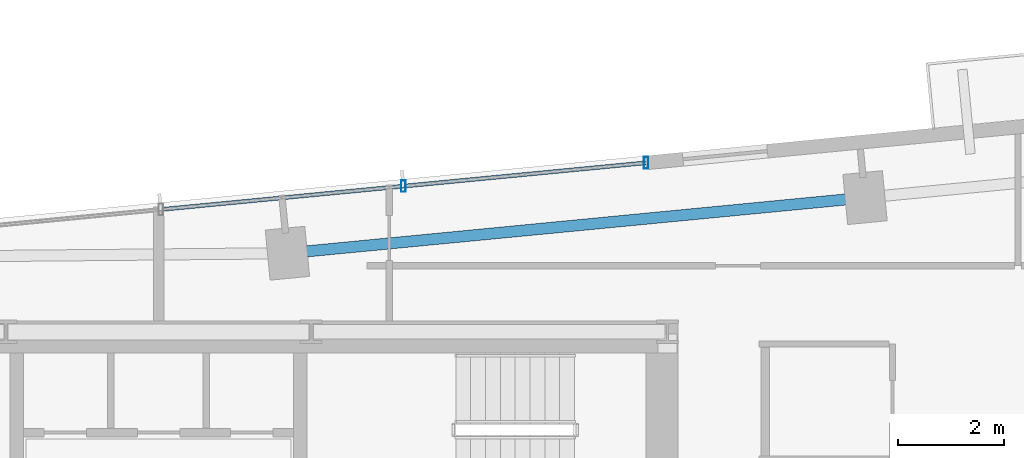
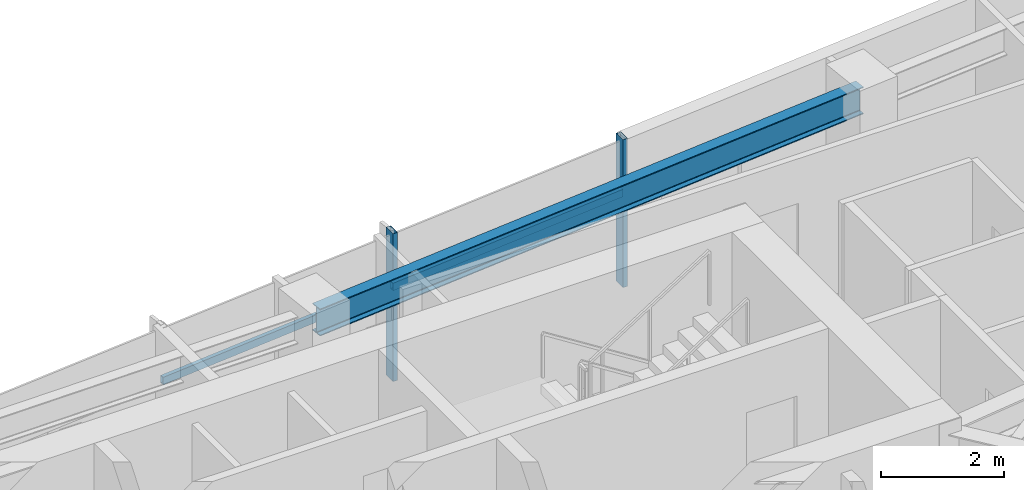
# One storey, part 7 of 18: 4 members, 1 beam, 1 element without a shape of its own.
"""IFC4 building model written with IfcOpenShell, lengths in metres."""

import ifcopenshell
import ifcopenshell.guid

model = None  # the IFC model being written
_history = None  # IfcOwnerHistory: only IFC2X3 demands one
_inside = {}  # id of a spatial element -> (the spatial element, [elements in it])
_under = {}  # id of a project, library or spatial element -> (it, [spatial elements below it])
_declared = {}  # id of a project -> (the project, [libraries it declares])
_typed = {}  # id of a type object -> (the type object, [elements of that type])
_made_of = {}  # id of a material, layer set ... -> (it, [elements and type objects made of it])


def new_model(schema):
    """Start an empty IFC model of exactly this schema.

    Asked for "IFC4X3", IfcOpenShell would pick the latest addendum, in which some entities
    have other attributes; the version numbers below select the first issue.
    IFC2X3 requires an IfcOwnerHistory on every rooted entity: one is made here for all.
    """
    global model, _history
    if schema == "IFC4X3":
        model = ifcopenshell.file(schema_version=(4, 3, 0, 0))
    else:
        model = ifcopenshell.file(schema=schema)
    _inside.clear()
    _under.clear()
    _declared.clear()
    _typed.clear()
    _made_of.clear()
    _history = None
    if model.schema == "IFC2X3":
        org = make("IfcOrganization", Name="unknown")
        user = make(
            "IfcPersonAndOrganization",
            ThePerson=make("IfcPerson", FamilyName="unknown"),
            TheOrganization=org,
        )
        app = make(
            "IfcApplication",
            ApplicationDeveloper=org,
            Version="unknown",
            ApplicationFullName="unknown",
            ApplicationIdentifier="unknown",
        )
        _history = make(
            "IfcOwnerHistory",
            OwningUser=user,
            OwningApplication=app,
            ChangeAction="ADDED",
            CreationDate=0,
        )
    return model


def make(cls, **values):
    """One entity of the class cls with the attributes given. An attribute that is None is left unset."""
    return model.create_entity(
        cls, **{name: value for name, value in values.items() if value is not None}
    )


def rooted(cls, **values):
    """An entity with a GlobalId (a new one), such as an element, a storey or a relation."""
    return make(cls, GlobalId=ifcopenshell.guid.new(), OwnerHistory=_history, **values)


def si_unit(unit_type, name, prefix=None):
    """IfcSIUnit, for example si_unit("LENGTHUNIT", "METRE", prefix="MILLI")."""
    return make("IfcSIUnit", UnitType=unit_type, Prefix=prefix, Name=name)


def assignment(units):
    """IfcUnitAssignment: the units of a project."""
    return None if units is None else make("IfcUnitAssignment", Units=units)


def point(xyz):
    """IfcCartesianPoint."""
    return None if xyz is None else make("IfcCartesianPoint", Coordinates=xyz)


def direction(xyz):
    """IfcDirection."""
    return None if xyz is None else make("IfcDirection", DirectionRatios=xyz)


def frame(location, z_axis=None, x_axis=None):
    """IfcAxis2Placement3D, a coordinate frame: its origin and axes. An axis left out is left unset."""
    return make(
        "IfcAxis2Placement3D",
        Location=point(location),
        Axis=direction(z_axis),
        RefDirection=direction(x_axis),
    )


def frame_2d(location, x_axis=None):
    """IfcAxis2Placement2D, a coordinate frame in the plane: its origin and x axis."""
    return make(
        "IfcAxis2Placement2D", Location=point(location), RefDirection=direction(x_axis)
    )


def origin():
    """The frame at (0, 0, 0) with its axes left unset."""
    return frame((0.0, 0.0, 0.0))


def origin_2d():
    """The frame at (0, 0) in the plane with its x axis left unset."""
    return frame_2d((0.0, 0.0))


def place(relative_to, where):
    """IfcLocalPlacement: puts the frame where relative to a parent placement (None: the world)."""
    return make(
        "IfcLocalPlacement", PlacementRelTo=relative_to, RelativePlacement=where
    )


def context(
    kind, dimensions, precision=None, world=None, true_north=None, identifier=None
):
    """IfcGeometricRepresentationContext, for example the 3D "Model" context."""
    return make(
        "IfcGeometricRepresentationContext",
        ContextIdentifier=identifier,
        ContextType=kind,
        CoordinateSpaceDimension=dimensions,
        Precision=precision,
        WorldCoordinateSystem=world,
        TrueNorth=true_north,
    )


def subcontext(parent, identifier, kind, view, scale=None):
    """IfcGeometricRepresentationSubContext, for example "Body" below "Model"."""
    return make(
        "IfcGeometricRepresentationSubContext",
        ContextIdentifier=identifier,
        ContextType=kind,
        ParentContext=parent,
        TargetScale=scale,
        TargetView=view,
    )


def project(units=None, contexts=None):
    """IfcProject with its units and contexts."""
    return rooted(
        "IfcProject",
        Name="project",
        RepresentationContexts=contexts,
        UnitsInContext=assignment(units),
    )


def spatial(cls, under=None, at=None, **own):
    """A site, building, storey or space (cls), placed at a placement, below another one or the project."""
    s = rooted(cls, ObjectPlacement=at, **own)
    if under is not None:
        _under.setdefault(under.id(), (under, []))[1].append(s)
    return s


def profile(cls, at=None, kind="AREA", **sizes):
    """A parametric profile (cls). Its sizes go by their IFC names, for example OverallWidth=200.0."""
    return make(cls, ProfileType=kind, Position=at, **sizes)


def hollow_rectangle(**sizes):
    """IfcRectangleHollowProfileDef."""
    return profile("IfcRectangleHollowProfileDef", **sizes)


def i_section(**sizes):
    """IfcIShapeProfileDef."""
    return profile("IfcIShapeProfileDef", **sizes)


def extrude(swept, where, along, depth):
    """IfcExtrudedAreaSolid: the profile swept, set in the frame where, extruded along a direction by depth."""
    return make(
        "IfcExtrudedAreaSolid",
        SweptArea=swept,
        Position=where,
        ExtrudedDirection=direction(along),
        Depth=depth,
    )


def shape(context_of_items, identifier, shape_type, items):
    """IfcShapeRepresentation: the items that make up one representation, for example the "Body"."""
    return make(
        "IfcShapeRepresentation",
        ContextOfItems=context_of_items,
        RepresentationIdentifier=identifier,
        RepresentationType=shape_type,
        Items=items,
    )


def source(mapping_origin, context_of_items, identifier, shape_type, items):
    """IfcRepresentationMap: a shape defined once, which mapped items show again and again."""
    return make(
        "IfcRepresentationMap",
        MappingOrigin=mapping_origin,
        MappedRepresentation=shape(context_of_items, identifier, shape_type, items),
    )


def transform(
    local_origin,
    x_axis=None,
    y_axis=None,
    z_axis=None,
    scale=None,
    scale2=None,
    scale3=None,
    uniform=True,
):
    """IfcCartesianTransformationOperator3D, or its non-uniform kind. x_axis, y_axis, z_axis: its Axis1, 2, 3."""
    if uniform:
        return make(
            "IfcCartesianTransformationOperator3D",
            Axis1=direction(x_axis),
            Axis2=direction(y_axis),
            LocalOrigin=point(local_origin),
            Scale=scale,
            Axis3=direction(z_axis),
        )
    return make(
        "IfcCartesianTransformationOperator3DnonUniform",
        Axis1=direction(x_axis),
        Axis2=direction(y_axis),
        LocalOrigin=point(local_origin),
        Scale=scale,
        Axis3=direction(z_axis),
        Scale2=scale2,
        Scale3=scale3,
    )


def mapped(mapping_source, mapping_target):
    """IfcMappedItem: shows the shape of a source again, moved by a transform."""
    return make(
        "IfcMappedItem", MappingSource=mapping_source, MappingTarget=mapping_target
    )


def material(Name=None, Category=None):
    """IfcMaterial."""
    return make("IfcMaterial", Name=Name, Category=Category)


def material_profile(
    of_material, cross_section, Name=None, Category=None, Priority=None
):
    """IfcMaterialProfile: a cross section and its material."""
    return make(
        "IfcMaterialProfile",
        Name=Name,
        Material=of_material,
        Profile=cross_section,
        Priority=Priority,
        Category=Category,
    )


def profile_set(profiles, Name=None, composite=None):
    """IfcMaterialProfileSet."""
    return make(
        "IfcMaterialProfileSet",
        Name=Name,
        MaterialProfiles=profiles,
        CompositeProfile=composite,
    )


def made_of(thing, what):
    """Note that an element or type object is made of a material, layer set ...; save() writes the relation."""
    if what is not None:
        _made_of.setdefault(what.id(), (what, []))[1].append(thing)
    return thing


def type_object(cls, material=None, **own):
    """A type object (cls), such as IfcWallType, which elements share."""
    return made_of(rooted(cls, **own), material)


def type_shapes(of_type, sources):
    """Give a type object the sources (RepresentationMaps) that its elements show as mapped items."""
    of_type.RepresentationMaps = sources


def element(
    cls,
    number,
    at=None,
    inside=None,
    cuts=None,
    type_object=None,
    material=None,
    context=None,
    identifier="Body",
    shape_type=None,
    held_by="IfcProductDefinitionShape",
    body=None,
    shapes=None,
    **own,
):
    """One element of the class cls, such as IfcWall. Its Tag is "e" and its number.

    at: its placement. inside: the storey or other place that contains it. cuts: it is an
    opening in that element (IfcRelVoidsElement). A single representation is given by context,
    identifier, shape_type and body (its items); several are given by shapes. held_by: the class
    of the entity that holds the representations. save() writes the other relations.
    """
    e = rooted(cls, Tag="e%d" % number, ObjectPlacement=at, **own)
    if body is not None:
        shapes = [shape(context, identifier, shape_type, body)]
    if shapes is not None:
        e.Representation = make(held_by, Representations=shapes)
    if inside is not None:
        _inside.setdefault(inside.id(), (inside, []))[1].append(e)
    if cuts is not None:
        rooted(
            "IfcRelVoidsElement", RelatingBuildingElement=cuts, RelatedOpeningElement=e
        )
    if type_object is not None:
        _typed.setdefault(type_object.id(), (type_object, []))[1].append(e)
    return made_of(e, material)


def aggregate(whole, parts):
    """IfcRelAggregates: a whole, such as a stair, and the parts it consists of."""
    return rooted("IfcRelAggregates", RelatingObject=whole, RelatedObjects=parts)


def save(model, path):
    """Write the relations noted so far, then the file.

    IfcRelAggregates (storeys below a building ...), IfcRelContainedInSpatialStructure (elements
    in a storey), IfcRelDefinesByType, IfcRelAssociatesMaterial and IfcRelDeclares: one each for
    every whole, place, type object, material and project.
    """
    for whole, parts in _under.values():
        aggregate(whole, parts)
    for where, things in _inside.values():
        rooted(
            "IfcRelContainedInSpatialStructure",
            RelatedElements=things,
            RelatingStructure=where,
        )
    for kind, things in _typed.values():
        rooted("IfcRelDefinesByType", RelatedObjects=things, RelatingType=kind)
    for what, things in _made_of.values():
        rooted("IfcRelAssociatesMaterial", RelatedObjects=things, RelatingMaterial=what)
    for by, libraries in _declared.values():
        rooted("IfcRelDeclares", RelatingContext=by, RelatedDefinitions=libraries)
    model.write(path)


model = new_model("IFC4")

# Units and contexts
model_context = context("Model", 3, precision=1e-05, world=origin(), true_north=direction((0.0, 1.0)))
body_context = subcontext(model_context, "Body", "Model", "MODEL_VIEW")
ifc_project = project(units=[si_unit("LENGTHUNIT", "METRE"), si_unit("AREAUNIT", "SQUARE_METRE"), si_unit("VOLUMEUNIT", "CUBIC_METRE"), si_unit("PLANEANGLEUNIT", "RADIAN"), si_unit("MASSUNIT", "GRAM", prefix="KILO")], contexts=[model_context])

# Site, building, storey
site_placement = place(None, origin())
site = spatial("IfcSite", under=ifc_project, at=site_placement, CompositionType="ELEMENT")
building_placement = place(site_placement, origin())
building = spatial("IfcBuilding", under=site, at=building_placement, Name="Astriad Promenade Condominiums", CompositionType="ELEMENT")
storey_placement = place(building_placement, frame((0.0, 0.0, 192.199951171875)))
storey = spatial("IfcBuildingStorey", under=building, at=storey_placement, Name="L55", CompositionType="ELEMENT", Elevation=192.199951171875)

# Beam
ifc_material_1 = material(Name="Steel ASTM A992 Grade 50", Category="steel")
ifc_material_profile_1 = material_profile(ifc_material_1, i_section(OverallWidth=0.210693359375, OverallDepth=0.53955078125, WebThickness=0.01171875, FlangeThickness=0.018798828125, FilletRadius=0.0166015625, at=origin_2d()), Name="W21X73")
ifc_profile_set_1 = profile_set([ifc_material_profile_1], Name="Steel ASTM A992 Grade 50")
beam_type = type_object("IfcBeamType", Name="STEEL SPANDREL BEAM W21X73", PredefinedType="SPANDREL", material=ifc_profile_set_1)
shared_shape_1 = source(origin(), body_context, "Body", "SweptSolid", [
    extrude(i_section(OverallWidth=0.210693359375, OverallDepth=0.53955078125, WebThickness=0.01171875, FlangeThickness=0.018798828125, FilletRadius=0.0166015625, at=origin_2d()), origin(), (0.0, 0.0, 1.0), 10.869873046875),
])
type_shapes(beam_type, [shared_shape_1])
beam_placement = place(storey_placement, frame((49.291015625, 26.52880859375, 2.670166015625), z_axis=(-0.995394779798, -0.09586048378, 0.0), x_axis=(0.09586048378, -0.995394779798, 0.0)))
element("IfcBeam", 1, at=beam_placement, inside=storey, type_object=beam_type, Name="Perimeter Spandrel Beam SP-N3-L55", PredefinedType="SPANDREL", context=body_context, shape_type="MappedRepresentation", body=[
    mapped(shared_shape_1, transform((0.0, 0.0, 0.0), scale=1.0)),
])

# Curtain wall, members
ifc_material_2 = material(Name="Anodised aluminium Black Dark Glass Unitised", Category="aluminium")
curtain_wall_type = type_object("IfcCurtainWallType", Name="CW-B34-DARK", PredefinedType="USERDEFINED", material=ifc_material_2)
curtain_wall_placement = place(storey_placement, origin())
curtain_wall = element("IfcCurtainWall", 2, at=curtain_wall_placement, inside=storey, type_object=curtain_wall_type, Name="CW-L55-N", ObjectType="UNITISED_CURTAIN_WALL", PredefinedType="USERDEFINED")
ifc_material_3 = material(Name="Anodised aluminium 6063-T6 Black", Category="aluminium")
ifc_material_profile_2 = material_profile(ifc_material_3, hollow_rectangle(XDim=0.0849609375, YDim=0.219970703125, WallThickness=0.0048828125, at=origin_2d()), Name="ALU-MUL-85X220")
ifc_profile_set_2 = profile_set([ifc_material_profile_2], Name="Anodised aluminium 6063-T6 Black")
member_type_1 = type_object("IfcMemberType", Name="MUL-ALU-MUL-85X220", PredefinedType="MULLION", material=ifc_profile_set_2)
shared_shape_2 = source(origin(), body_context, "Body", "SweptSolid", [
    extrude(hollow_rectangle(XDim=0.0849609375, YDim=0.219970703125, WallThickness=0.0048828125, at=origin_2d()), origin(), (0.0, 0.0, 1.0), 2.93994140625),
])
type_shapes(member_type_1, [shared_shape_2])
member_1_placement = place(storey_placement, frame((40.6201171875, 26.748779296875, 0.0), z_axis=(0.0, 0.0, 1.0), x_axis=(1.0, 0.0, 0.0)))
member_1 = element("IfcMember", 3, at=member_1_placement, type_object=member_type_1, Name="CW-L55-N-MUL-02", PredefinedType="MULLION", context=body_context, shape_type="MappedRepresentation", body=[
    mapped(shared_shape_2, transform((0.0, 0.0, 0.0), scale=1.0)),
])
member_2_placement = place(storey_placement, frame((45.198974609375, 27.189697265625, 0.0), z_axis=(0.0, 0.0, 1.0), x_axis=(1.0, 0.0, 0.0)))
member_2 = element("IfcMember", 4, at=member_2_placement, type_object=member_type_1, Name="CW-L55-N-MUL-03", PredefinedType="MULLION", context=body_context, shape_type="MappedRepresentation", body=[
    mapped(shared_shape_2, transform((0.0, 0.0, 0.0), scale=1.0)),
])
ifc_material_profile_3 = material_profile(ifc_material_3, hollow_rectangle(XDim=0.074951171875, YDim=0.14990234375, WallThickness=0.004150390625, at=origin_2d()), Name="ALU-TRN-75X150")
ifc_profile_set_3 = profile_set([ifc_material_profile_3], Name="Anodised aluminium 6063-T6 Black")
member_type_2 = type_object("IfcMemberType", Name="TRN-ALU-TRN-75X150", PredefinedType="USERDEFINED", material=ifc_profile_set_3)
shared_shape_3 = source(origin(), body_context, "Body", "SweptSolid", [
    extrude(hollow_rectangle(XDim=0.074951171875, YDim=0.14990234375, WallThickness=0.004150390625, at=origin_2d()), origin(), (0.0, 0.0, 1.0), 4.60009765625),
])
type_shapes(member_type_2, [shared_shape_3])
member_3_placement = place(storey_placement, frame((36.041259765625, 26.307861328125, 1.82275390625), z_axis=(0.995395697572, 0.095850953336, 0.0), x_axis=(-0.095850953336, 0.995395697572, 0.0)))
member_3 = element("IfcMember", 5, at=member_3_placement, type_object=member_type_2, Name="CW-L55-N-TRN-01-0", ObjectType="TRANSOM", PredefinedType="USERDEFINED", context=body_context, shape_type="MappedRepresentation", body=[
    mapped(shared_shape_3, transform((0.0, 0.0, 0.0), scale=1.0)),
])
member_4_placement = place(storey_placement, frame((40.6201171875, 26.748779296875, 1.82275390625), z_axis=(0.995395697572, 0.095850953336, 0.0), x_axis=(-0.095850953336, 0.995395697572, 0.0)))
member_4 = element("IfcMember", 6, at=member_4_placement, type_object=member_type_2, Name="CW-L55-N-TRN-02-0", ObjectType="TRANSOM", PredefinedType="USERDEFINED", context=body_context, shape_type="MappedRepresentation", body=[
    mapped(shared_shape_3, transform((0.0, 0.0, 0.0), scale=1.0)),
])
aggregate(curtain_wall, [member_1, member_2, member_3, member_4])

save(model, "model.ifc")
